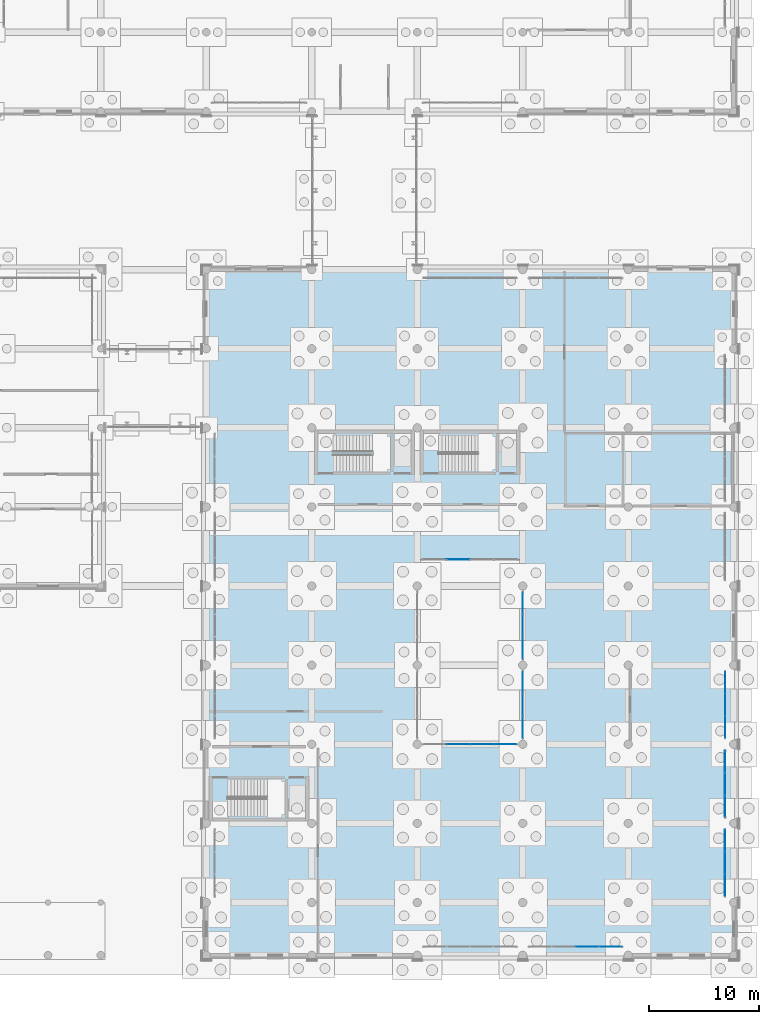
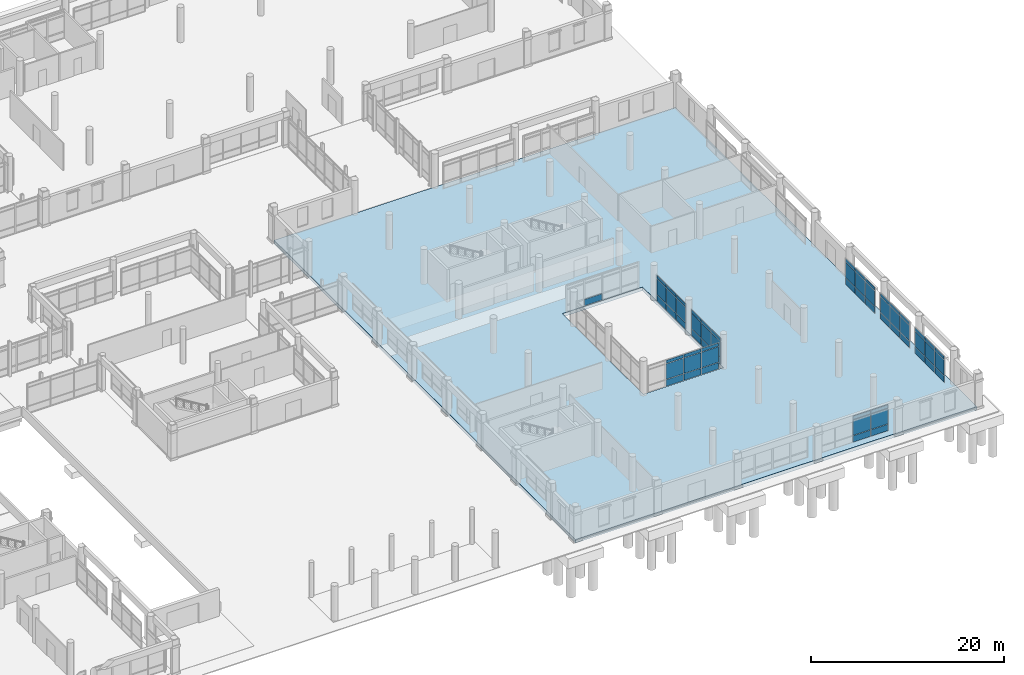
# One storey, part 155 of 196: 61 plates, 1 slab, 8 elements without a shape of their own.
"""IFC4 building model written with IfcOpenShell, lengths in metres."""

from ifc_helpers import new_model, si_unit, direction, frame, origin, origin_2d, place, context, subcontext, project, spatial, polyline, rectangle, outline, extrude, material, layer, layer_set, type_object, element, aggregate, save


model = new_model("IFC4")

# Units and contexts
model_context = context("Model", 3, precision=1e-05, world=origin(), true_north=direction((0.0, 1.0)))
body_context = subcontext(model_context, "Body", "Model", "MODEL_VIEW")
ifc_project = project(units=[si_unit("LENGTHUNIT", "METRE"), si_unit("AREAUNIT", "SQUARE_METRE"), si_unit("VOLUMEUNIT", "CUBIC_METRE"), si_unit("PLANEANGLEUNIT", "RADIAN"), si_unit("MASSUNIT", "GRAM", prefix="KILO")], contexts=[model_context])

# Site, building, storey
site_placement = place(None, origin())
site = spatial("IfcSite", under=ifc_project, at=site_placement, CompositionType="ELEMENT")
building_placement = place(site_placement, origin())
building = spatial("IfcBuilding", under=site, at=building_placement, Name="Asteropetra Specialist Clinic", CompositionType="ELEMENT")
storey_placement = place(building_placement, origin())
storey = spatial("IfcBuildingStorey", under=building, at=storey_placement, Name="L00", CompositionType="ELEMENT", Elevation=0.0)

# Curtain wall, plates
ifc_material_1 = material(Name="Aluminium and low-E glass", Category="aluminium")
ifc_layer_1 = layer(ifc_material_1, 0.14990234375)
ifc_layer_set_1 = layer_set([ifc_layer_1], Name="Aluminium and low-E glass")
curtain_wall_type_1 = type_object("IfcCurtainWallType", Name="CW-SYS-11", PredefinedType="USERDEFINED", material=ifc_layer_set_1)
curtain_wall_1_placement = place(storey_placement, origin())
curtain_wall_1 = element("IfcCurtainWall", 1, at=curtain_wall_1_placement, inside=storey, type_object=curtain_wall_type_1, Name="Curtain Wall CW-068", ObjectType="STICK GLAZED COLONNADE", PredefinedType="USERDEFINED")
ifc_material_2 = material(Name="Low-E double glazing", Category="glass")
ifc_layer_2 = layer(ifc_material_2, 0.028076171875)
ifc_layer_set_2 = layer_set([ifc_layer_2], Name="Low-E double glazing")
plate_type_1 = type_object("IfcPlateType", Name="CWP-GLZ-28", PredefinedType="CURTAIN_PANEL", material=ifc_layer_set_2)
plate_1_placement = place(storey_placement, frame((134.39990234375, 20.771728515625, 0.06005859375), z_axis=(0.0, 0.0, 1.0), x_axis=(0.0, 1.0, 0.0)))
plate_1 = element("IfcPlate", 2, at=plate_1_placement, type_object=plate_type_1, Name="CW-068 panel 1.1", PredefinedType="CURTAIN_PANEL", context=body_context, shape_type="SweptSolid", body=[
    extrude(rectangle(XDim=1.953369140625, YDim=0.028076171875, at=origin_2d()), origin(), (0.0, 0.0, 1.0), 0.81005859375),
])
plate_2_placement = place(storey_placement, frame((134.39990234375, 20.771728515625, 0.929931640625), z_axis=(0.0, 0.0, 1.0), x_axis=(0.0, 1.0, 0.0)))
plate_2 = element("IfcPlate", 3, at=plate_2_placement, type_object=plate_type_1, Name="CW-068 panel 1.2", PredefinedType="CURTAIN_PANEL", context=body_context, shape_type="SweptSolid", body=[
    extrude(rectangle(XDim=1.953369140625, YDim=0.028076171875, at=origin_2d()), origin(), (0.0, 0.0, 1.0), 1.93994140625),
])
plate_3_placement = place(storey_placement, frame((134.39990234375, 20.771728515625, 2.93017578125), z_axis=(0.0, 0.0, 1.0), x_axis=(0.0, 1.0, 0.0)))
plate_3 = element("IfcPlate", 4, at=plate_3_placement, type_object=plate_type_1, Name="CW-068 panel 1.3", PredefinedType="CURTAIN_PANEL", context=body_context, shape_type="SweptSolid", body=[
    extrude(rectangle(XDim=1.953369140625, YDim=0.028076171875, at=origin_2d()), origin(), (0.0, 0.0, 1.0), 0.409912109375),
])
plate_4_placement = place(storey_placement, frame((134.39990234375, 22.800048828125, 0.06005859375), z_axis=(0.0, 0.0, 1.0), x_axis=(0.0, 1.0, 0.0)))
plate_4 = element("IfcPlate", 5, at=plate_4_placement, type_object=plate_type_1, Name="CW-068 panel 2.1", PredefinedType="CURTAIN_PANEL", context=body_context, shape_type="SweptSolid", body=[
    extrude(rectangle(XDim=1.9833984375, YDim=0.028076171875, at=origin_2d()), origin(), (0.0, 0.0, 1.0), 0.81005859375),
])
plate_5_placement = place(storey_placement, frame((134.39990234375, 22.800048828125, 0.929931640625), z_axis=(0.0, 0.0, 1.0), x_axis=(0.0, 1.0, 0.0)))
plate_5 = element("IfcPlate", 6, at=plate_5_placement, type_object=plate_type_1, Name="CW-068 panel 2.2", PredefinedType="CURTAIN_PANEL", context=body_context, shape_type="SweptSolid", body=[
    extrude(rectangle(XDim=1.9833984375, YDim=0.028076171875, at=origin_2d()), origin(), (0.0, 0.0, 1.0), 1.93994140625),
])
plate_6_placement = place(storey_placement, frame((134.39990234375, 22.800048828125, 2.93017578125), z_axis=(0.0, 0.0, 1.0), x_axis=(0.0, 1.0, 0.0)))
plate_6 = element("IfcPlate", 7, at=plate_6_placement, type_object=plate_type_1, Name="CW-068 panel 2.3", PredefinedType="CURTAIN_PANEL", context=body_context, shape_type="SweptSolid", body=[
    extrude(rectangle(XDim=1.9833984375, YDim=0.028076171875, at=origin_2d()), origin(), (0.0, 0.0, 1.0), 0.409912109375),
])
plate_7_placement = place(storey_placement, frame((134.39990234375, 24.828369140625, 0.06005859375), z_axis=(0.0, 0.0, 1.0), x_axis=(0.0, 1.0, 0.0)))
plate_7 = element("IfcPlate", 8, at=plate_7_placement, type_object=plate_type_1, Name="CW-068 panel 3.1", PredefinedType="CURTAIN_PANEL", context=body_context, shape_type="SweptSolid", body=[
    extrude(rectangle(XDim=1.953369140625, YDim=0.028076171875, at=origin_2d()), origin(), (0.0, 0.0, 1.0), 0.81005859375),
])
plate_8_placement = place(storey_placement, frame((134.39990234375, 24.828369140625, 0.929931640625), z_axis=(0.0, 0.0, 1.0), x_axis=(0.0, 1.0, 0.0)))
plate_8 = element("IfcPlate", 9, at=plate_8_placement, type_object=plate_type_1, Name="CW-068 panel 3.2", PredefinedType="CURTAIN_PANEL", context=body_context, shape_type="SweptSolid", body=[
    extrude(rectangle(XDim=1.953369140625, YDim=0.028076171875, at=origin_2d()), origin(), (0.0, 0.0, 1.0), 1.93994140625),
])
plate_9_placement = place(storey_placement, frame((134.39990234375, 24.828369140625, 2.93017578125), z_axis=(0.0, 0.0, 1.0), x_axis=(0.0, 1.0, 0.0)))
plate_9 = element("IfcPlate", 10, at=plate_9_placement, type_object=plate_type_1, Name="CW-068 panel 3.3", PredefinedType="CURTAIN_PANEL", context=body_context, shape_type="SweptSolid", body=[
    extrude(rectangle(XDim=1.953369140625, YDim=0.028076171875, at=origin_2d()), origin(), (0.0, 0.0, 1.0), 0.409912109375),
])
aggregate(curtain_wall_1, [plate_1, plate_2, plate_3, plate_4, plate_5, plate_6, plate_7, plate_8, plate_9])

ifc_material_3 = material(Name="Aluminium and low-E glass", Category="aluminium")
ifc_layer_3 = layer(ifc_material_3, 0.179931640625)
ifc_layer_set_3 = layer_set([ifc_layer_3], Name="Aluminium and low-E glass")
curtain_wall_type_2 = type_object("IfcCurtainWallType", Name="CW-SYS-01", PredefinedType="USERDEFINED", material=ifc_layer_set_3)
curtain_wall_2_placement = place(storey_placement, origin())
curtain_wall_2 = element("IfcCurtainWall", 11, at=curtain_wall_2_placement, inside=storey, type_object=curtain_wall_type_2, Name="Curtain Wall CW-200", ObjectType="UNITISED CURTAIN WALL", PredefinedType="USERDEFINED")
plate_10_placement = place(storey_placement, frame((152.820068359375, 20.771728515625, 0.06005859375), z_axis=(0.0, 0.0, 1.0), x_axis=(0.0, 1.0, 0.0)))
plate_10 = element("IfcPlate", 12, at=plate_10_placement, type_object=plate_type_1, Name="CW-200 panel 1.1", PredefinedType="CURTAIN_PANEL", context=body_context, shape_type="SweptSolid", body=[
    extrude(rectangle(XDim=1.953369140625, YDim=0.028076171875, at=origin_2d()), origin(), (0.0, 0.0, 1.0), 0.81005859375),
])
plate_11_placement = place(storey_placement, frame((152.820068359375, 20.771728515625, 0.929931640625), z_axis=(0.0, 0.0, 1.0), x_axis=(0.0, 1.0, 0.0)))
plate_11 = element("IfcPlate", 13, at=plate_11_placement, type_object=plate_type_1, Name="CW-200 panel 1.2", PredefinedType="CURTAIN_PANEL", context=body_context, shape_type="SweptSolid", body=[
    extrude(rectangle(XDim=1.953369140625, YDim=0.028076171875, at=origin_2d()), origin(), (0.0, 0.0, 1.0), 1.93994140625),
])
plate_12_placement = place(storey_placement, frame((152.820068359375, 20.771728515625, 2.93017578125), z_axis=(0.0, 0.0, 1.0), x_axis=(0.0, 1.0, 0.0)))
plate_12 = element("IfcPlate", 14, at=plate_12_placement, type_object=plate_type_1, Name="CW-200 panel 1.3", PredefinedType="CURTAIN_PANEL", context=body_context, shape_type="SweptSolid", body=[
    extrude(rectangle(XDim=1.953369140625, YDim=0.028076171875, at=origin_2d()), origin(), (0.0, 0.0, 1.0), 0.409912109375),
])
plate_13_placement = place(storey_placement, frame((152.820068359375, 22.800048828125, 0.06005859375), z_axis=(0.0, 0.0, 1.0), x_axis=(0.0, 1.0, 0.0)))
plate_13 = element("IfcPlate", 15, at=plate_13_placement, type_object=plate_type_1, Name="CW-200 panel 2.1", PredefinedType="CURTAIN_PANEL", context=body_context, shape_type="SweptSolid", body=[
    extrude(rectangle(XDim=1.9833984375, YDim=0.028076171875, at=origin_2d()), origin(), (0.0, 0.0, 1.0), 0.81005859375),
])
plate_14_placement = place(storey_placement, frame((152.820068359375, 22.800048828125, 0.929931640625), z_axis=(0.0, 0.0, 1.0), x_axis=(0.0, 1.0, 0.0)))
plate_14 = element("IfcPlate", 16, at=plate_14_placement, type_object=plate_type_1, Name="CW-200 panel 2.2", PredefinedType="CURTAIN_PANEL", context=body_context, shape_type="SweptSolid", body=[
    extrude(rectangle(XDim=1.9833984375, YDim=0.028076171875, at=origin_2d()), origin(), (0.0, 0.0, 1.0), 1.93994140625),
])
plate_15_placement = place(storey_placement, frame((152.820068359375, 22.800048828125, 2.93017578125), z_axis=(0.0, 0.0, 1.0), x_axis=(0.0, 1.0, 0.0)))
plate_15 = element("IfcPlate", 17, at=plate_15_placement, type_object=plate_type_1, Name="CW-200 panel 2.3", PredefinedType="CURTAIN_PANEL", context=body_context, shape_type="SweptSolid", body=[
    extrude(rectangle(XDim=1.9833984375, YDim=0.028076171875, at=origin_2d()), origin(), (0.0, 0.0, 1.0), 0.409912109375),
])
plate_16_placement = place(storey_placement, frame((152.820068359375, 24.828369140625, 0.06005859375), z_axis=(0.0, 0.0, 1.0), x_axis=(0.0, 1.0, 0.0)))
plate_16 = element("IfcPlate", 18, at=plate_16_placement, type_object=plate_type_1, Name="CW-200 panel 3.1", PredefinedType="CURTAIN_PANEL", context=body_context, shape_type="SweptSolid", body=[
    extrude(rectangle(XDim=1.953369140625, YDim=0.028076171875, at=origin_2d()), origin(), (0.0, 0.0, 1.0), 0.81005859375),
])
plate_17_placement = place(storey_placement, frame((152.820068359375, 24.828369140625, 0.929931640625), z_axis=(0.0, 0.0, 1.0), x_axis=(0.0, 1.0, 0.0)))
plate_17 = element("IfcPlate", 19, at=plate_17_placement, type_object=plate_type_1, Name="CW-200 panel 3.2", PredefinedType="CURTAIN_PANEL", context=body_context, shape_type="SweptSolid", body=[
    extrude(rectangle(XDim=1.953369140625, YDim=0.028076171875, at=origin_2d()), origin(), (0.0, 0.0, 1.0), 1.93994140625),
])
plate_18_placement = place(storey_placement, frame((152.820068359375, 24.828369140625, 2.93017578125), z_axis=(0.0, 0.0, 1.0), x_axis=(0.0, 1.0, 0.0)))
plate_18 = element("IfcPlate", 20, at=plate_18_placement, type_object=plate_type_1, Name="CW-200 panel 3.3", PredefinedType="CURTAIN_PANEL", context=body_context, shape_type="SweptSolid", body=[
    extrude(rectangle(XDim=1.953369140625, YDim=0.028076171875, at=origin_2d()), origin(), (0.0, 0.0, 1.0), 0.409912109375),
])
aggregate(curtain_wall_2, [plate_10, plate_11, plate_12, plate_13, plate_14, plate_15, plate_16, plate_17, plate_18])

ifc_material_4 = material(Name="Aluminium and low-E glass", Category="aluminium")
ifc_layer_4 = layer(ifc_material_4, 0.14990234375)
ifc_layer_set_4 = layer_set([ifc_layer_4], Name="Aluminium and low-E glass")
curtain_wall_type_3 = type_object("IfcCurtainWallType", Name="CW-SYS-08", PredefinedType="USERDEFINED", material=ifc_layer_set_4)
curtain_wall_3_placement = place(storey_placement, origin())
curtain_wall_3 = element("IfcCurtainWall", 21, at=curtain_wall_3_placement, inside=storey, type_object=curtain_wall_type_3, Name="Curtain Wall CW-065", ObjectType="STICK GLAZED COLONNADE", PredefinedType="USERDEFINED")
ifc_material_5 = material(Name="Low-E acoustic double glazing", Category="glass")
ifc_layer_5 = layer(ifc_material_5, 0.031982421875)
ifc_layer_set_5 = layer_set([ifc_layer_5], Name="Low-E acoustic double glazing")
plate_type_2 = type_object("IfcPlateType", Name="CWP-GLZ-32", PredefinedType="CURTAIN_PANEL", material=ifc_layer_set_5)
plate_19_placement = place(storey_placement, frame((128.53369140625, 19.199951171875, 0.06005859375), z_axis=(0.0, 0.0, 1.0), x_axis=(1.0, 0.0, 0.0)))
plate_19 = element("IfcPlate", 22, at=plate_19_placement, type_object=plate_type_2, Name="CW-065 panel 2.1", PredefinedType="CURTAIN_PANEL", context=body_context, shape_type="SweptSolid", body=[
    extrude(rectangle(XDim=2.072509765625, YDim=0.031982421875, at=origin_2d()), origin(), (0.0, 0.0, 1.0), 0.81005859375),
])
plate_20_placement = place(storey_placement, frame((128.53369140625, 19.199951171875, 0.929931640625), z_axis=(0.0, 0.0, 1.0), x_axis=(1.0, 0.0, 0.0)))
plate_20 = element("IfcPlate", 23, at=plate_20_placement, type_object=plate_type_2, Name="CW-065 panel 2.2", PredefinedType="CURTAIN_PANEL", context=body_context, shape_type="SweptSolid", body=[
    extrude(rectangle(XDim=2.072509765625, YDim=0.031982421875, at=origin_2d()), origin(), (0.0, 0.0, 1.0), 1.93994140625),
])
plate_21_placement = place(storey_placement, frame((128.53369140625, 19.199951171875, 2.93017578125), z_axis=(0.0, 0.0, 1.0), x_axis=(1.0, 0.0, 0.0)))
plate_21 = element("IfcPlate", 24, at=plate_21_placement, type_object=plate_type_2, Name="CW-065 panel 2.3", PredefinedType="CURTAIN_PANEL", context=body_context, shape_type="SweptSolid", body=[
    extrude(rectangle(XDim=2.072509765625, YDim=0.031982421875, at=origin_2d()), origin(), (0.0, 0.0, 1.0), 0.409912109375),
])
plate_22_placement = place(storey_placement, frame((130.666259765625, 19.199951171875, 0.06005859375), z_axis=(0.0, 0.0, 1.0), x_axis=(1.0, 0.0, 0.0)))
plate_22 = element("IfcPlate", 25, at=plate_22_placement, type_object=plate_type_2, Name="CW-065 panel 3.1", PredefinedType="CURTAIN_PANEL", context=body_context, shape_type="SweptSolid", body=[
    extrude(rectangle(XDim=2.072509765625, YDim=0.031982421875, at=origin_2d()), origin(), (0.0, 0.0, 1.0), 0.81005859375),
])
plate_23_placement = place(storey_placement, frame((130.666259765625, 19.199951171875, 0.929931640625), z_axis=(0.0, 0.0, 1.0), x_axis=(1.0, 0.0, 0.0)))
plate_23 = element("IfcPlate", 26, at=plate_23_placement, type_object=plate_type_2, Name="CW-065 panel 3.2", PredefinedType="CURTAIN_PANEL", context=body_context, shape_type="SweptSolid", body=[
    extrude(rectangle(XDim=2.072509765625, YDim=0.031982421875, at=origin_2d()), origin(), (0.0, 0.0, 1.0), 1.93994140625),
])
plate_24_placement = place(storey_placement, frame((130.666259765625, 19.199951171875, 2.93017578125), z_axis=(0.0, 0.0, 1.0), x_axis=(1.0, 0.0, 0.0)))
plate_24 = element("IfcPlate", 27, at=plate_24_placement, type_object=plate_type_2, Name="CW-065 panel 3.3", PredefinedType="CURTAIN_PANEL", context=body_context, shape_type="SweptSolid", body=[
    extrude(rectangle(XDim=2.072509765625, YDim=0.031982421875, at=origin_2d()), origin(), (0.0, 0.0, 1.0), 0.409912109375),
])
plate_25_placement = place(storey_placement, frame((132.78369140625, 19.199951171875, 0.06005859375), z_axis=(0.0, 0.0, 1.0), x_axis=(1.0, 0.0, 0.0)))
plate_25 = element("IfcPlate", 28, at=plate_25_placement, type_object=plate_type_2, Name="CW-065 panel 4.1", PredefinedType="CURTAIN_PANEL", context=body_context, shape_type="SweptSolid", body=[
    extrude(rectangle(XDim=2.04248046875, YDim=0.031982421875, at=origin_2d()), origin(), (0.0, 0.0, 1.0), 0.81005859375),
])
plate_26_placement = place(storey_placement, frame((132.78369140625, 19.199951171875, 0.929931640625), z_axis=(0.0, 0.0, 1.0), x_axis=(1.0, 0.0, 0.0)))
plate_26 = element("IfcPlate", 29, at=plate_26_placement, type_object=plate_type_2, Name="CW-065 panel 4.2", PredefinedType="CURTAIN_PANEL", context=body_context, shape_type="SweptSolid", body=[
    extrude(rectangle(XDim=2.04248046875, YDim=0.031982421875, at=origin_2d()), origin(), (0.0, 0.0, 1.0), 1.93994140625),
])
plate_27_placement = place(storey_placement, frame((132.78369140625, 19.199951171875, 2.93017578125), z_axis=(0.0, 0.0, 1.0), x_axis=(1.0, 0.0, 0.0)))
plate_27 = element("IfcPlate", 30, at=plate_27_placement, type_object=plate_type_2, Name="CW-065 panel 4.3", PredefinedType="CURTAIN_PANEL", context=body_context, shape_type="SweptSolid", body=[
    extrude(rectangle(XDim=2.04248046875, YDim=0.031982421875, at=origin_2d()), origin(), (0.0, 0.0, 1.0), 0.409912109375),
])
aggregate(curtain_wall_3, [plate_19, plate_20, plate_21, plate_22, plate_23, plate_24, plate_25, plate_26, plate_27])

ifc_material_6 = material(Name="Aluminium and low-E glass", Category="aluminium")
ifc_layer_6 = layer(ifc_material_6, 0.179931640625)
ifc_layer_set_6 = layer_set([ifc_layer_6], Name="Aluminium and low-E glass")
curtain_wall_type_4 = type_object("IfcCurtainWallType", Name="CW-SYS-10", PredefinedType="USERDEFINED", material=ifc_layer_set_6)
curtain_wall_4_placement = place(storey_placement, origin())
curtain_wall_4 = element("IfcCurtainWall", 31, at=curtain_wall_4_placement, inside=storey, type_object=curtain_wall_type_4, Name="Curtain Wall CW-197", ObjectType="STICK GLAZED COLONNADE", PredefinedType="USERDEFINED")
plate_28_placement = place(storey_placement, frame((152.820068359375, 6.37158203125, 0.06005859375), z_axis=(0.0, 0.0, 1.0), x_axis=(0.0, 1.0, 0.0)))
plate_28 = element("IfcPlate", 32, at=plate_28_placement, type_object=plate_type_2, Name="CW-197 panel 1.1", PredefinedType="CURTAIN_PANEL", context=body_context, shape_type="SweptSolid", body=[
    extrude(rectangle(XDim=1.953369140625, YDim=0.031982421875, at=origin_2d()), origin(), (0.0, 0.0, 1.0), 0.81005859375),
])
plate_29_placement = place(storey_placement, frame((152.820068359375, 6.37158203125, 0.929931640625), z_axis=(0.0, 0.0, 1.0), x_axis=(0.0, 1.0, 0.0)))
plate_29 = element("IfcPlate", 33, at=plate_29_placement, type_object=plate_type_2, Name="CW-197 panel 1.2", PredefinedType="CURTAIN_PANEL", context=body_context, shape_type="SweptSolid", body=[
    extrude(rectangle(XDim=1.953369140625, YDim=0.031982421875, at=origin_2d()), origin(), (0.0, 0.0, 1.0), 1.93994140625),
])
plate_30_placement = place(storey_placement, frame((152.820068359375, 6.37158203125, 2.93017578125), z_axis=(0.0, 0.0, 1.0), x_axis=(0.0, 1.0, 0.0)))
plate_30 = element("IfcPlate", 34, at=plate_30_placement, type_object=plate_type_2, Name="CW-197 panel 1.3", PredefinedType="CURTAIN_PANEL", context=body_context, shape_type="SweptSolid", body=[
    extrude(rectangle(XDim=1.953369140625, YDim=0.031982421875, at=origin_2d()), origin(), (0.0, 0.0, 1.0), 0.409912109375),
])
plate_31_placement = place(storey_placement, frame((152.820068359375, 8.39990234375, 0.06005859375), z_axis=(0.0, 0.0, 1.0), x_axis=(0.0, 1.0, 0.0)))
plate_31 = element("IfcPlate", 35, at=plate_31_placement, type_object=plate_type_2, Name="CW-197 panel 2.1", PredefinedType="CURTAIN_PANEL", context=body_context, shape_type="SweptSolid", body=[
    extrude(rectangle(XDim=1.9833984375, YDim=0.031982421875, at=origin_2d()), origin(), (0.0, 0.0, 1.0), 0.81005859375),
])
plate_32_placement = place(storey_placement, frame((152.820068359375, 8.39990234375, 0.929931640625), z_axis=(0.0, 0.0, 1.0), x_axis=(0.0, 1.0, 0.0)))
plate_32 = element("IfcPlate", 36, at=plate_32_placement, type_object=plate_type_2, Name="CW-197 panel 2.2", PredefinedType="CURTAIN_PANEL", context=body_context, shape_type="SweptSolid", body=[
    extrude(rectangle(XDim=1.9833984375, YDim=0.031982421875, at=origin_2d()), origin(), (0.0, 0.0, 1.0), 1.93994140625),
])
plate_33_placement = place(storey_placement, frame((152.820068359375, 8.39990234375, 2.93017578125), z_axis=(0.0, 0.0, 1.0), x_axis=(0.0, 1.0, 0.0)))
plate_33 = element("IfcPlate", 37, at=plate_33_placement, type_object=plate_type_2, Name="CW-197 panel 2.3", PredefinedType="CURTAIN_PANEL", context=body_context, shape_type="SweptSolid", body=[
    extrude(rectangle(XDim=1.9833984375, YDim=0.031982421875, at=origin_2d()), origin(), (0.0, 0.0, 1.0), 0.409912109375),
])
plate_34_placement = place(storey_placement, frame((152.820068359375, 10.42822265625, 0.06005859375), z_axis=(0.0, 0.0, 1.0), x_axis=(0.0, 1.0, 0.0)))
plate_34 = element("IfcPlate", 38, at=plate_34_placement, type_object=plate_type_2, Name="CW-197 panel 3.1", PredefinedType="CURTAIN_PANEL", context=body_context, shape_type="SweptSolid", body=[
    extrude(rectangle(XDim=1.953369140625, YDim=0.031982421875, at=origin_2d()), origin(), (0.0, 0.0, 1.0), 0.81005859375),
])
plate_35_placement = place(storey_placement, frame((152.820068359375, 10.42822265625, 0.929931640625), z_axis=(0.0, 0.0, 1.0), x_axis=(0.0, 1.0, 0.0)))
plate_35 = element("IfcPlate", 39, at=plate_35_placement, type_object=plate_type_2, Name="CW-197 panel 3.2", PredefinedType="CURTAIN_PANEL", context=body_context, shape_type="SweptSolid", body=[
    extrude(rectangle(XDim=1.953369140625, YDim=0.031982421875, at=origin_2d()), origin(), (0.0, 0.0, 1.0), 1.93994140625),
])
plate_36_placement = place(storey_placement, frame((152.820068359375, 10.42822265625, 2.93017578125), z_axis=(0.0, 0.0, 1.0), x_axis=(0.0, 1.0, 0.0)))
plate_36 = element("IfcPlate", 40, at=plate_36_placement, type_object=plate_type_2, Name="CW-197 panel 3.3", PredefinedType="CURTAIN_PANEL", context=body_context, shape_type="SweptSolid", body=[
    extrude(rectangle(XDim=1.953369140625, YDim=0.031982421875, at=origin_2d()), origin(), (0.0, 0.0, 1.0), 0.409912109375),
])
aggregate(curtain_wall_4, [plate_28, plate_29, plate_30, plate_31, plate_32, plate_33, plate_34, plate_35, plate_36])

# Curtain wall, plate
ifc_material_7 = material(Name="Aluminium and low-E glass", Category="aluminium")
ifc_layer_7 = layer(ifc_material_7, 0.135009765625)
ifc_layer_set_7 = layer_set([ifc_layer_7], Name="Aluminium and low-E glass")
curtain_wall_type_5 = type_object("IfcCurtainWallType", Name="CW-SYS-09", PredefinedType="USERDEFINED", material=ifc_layer_set_7)
curtain_wall_5_placement = place(storey_placement, origin())
curtain_wall_5 = element("IfcCurtainWall", 41, at=curtain_wall_5_placement, inside=storey, type_object=curtain_wall_type_5, Name="Curtain Wall CW-066", ObjectType="STICK GLAZED COLONNADE", PredefinedType="USERDEFINED")
ifc_material_8 = material(Name="Solar-control triple glazing", Category="glass")
ifc_layer_8 = layer(ifc_material_8, 0.035888671875)
ifc_layer_set_8 = layer_set([ifc_layer_8], Name="Solar-control triple glazing")
plate_type_3 = type_object("IfcPlateType", Name="CWP-GLZ-36", PredefinedType="CURTAIN_PANEL", material=ifc_layer_set_8)
plate_37_placement = place(storey_placement, frame((128.510009765625, 36.0, 0.074951171875), z_axis=(0.0, 0.0, 1.0), x_axis=(-1.0, 0.0, 0.0)))
plate_37 = element("IfcPlate", 42, at=plate_37_placement, type_object=plate_type_3, Name="CW-066 panel 3.1", PredefinedType="CURTAIN_PANEL", context=body_context, shape_type="SweptSolid", body=[
    extrude(rectangle(XDim=2.10498046875, YDim=0.035888671875, at=origin_2d()), origin(), (0.0, 0.0, 1.0), 0.78759765625),
])
aggregate(curtain_wall_5, [plate_37])

# Curtain wall, plates
ifc_material_9 = material(Name="Aluminium and low-E glass", Category="aluminium")
ifc_layer_9 = layer(ifc_material_9, 0.135009765625)
ifc_layer_set_9 = layer_set([ifc_layer_9], Name="Aluminium and low-E glass")
curtain_wall_type_6 = type_object("IfcCurtainWallType", Name="CW-SYS-12", PredefinedType="USERDEFINED", material=ifc_layer_set_9)
curtain_wall_6_placement = place(storey_placement, origin())
curtain_wall_6 = element("IfcCurtainWall", 43, at=curtain_wall_6_placement, inside=storey, type_object=curtain_wall_type_6, Name="Curtain Wall CW-070", ObjectType="STICK GLAZED COLONNADE", PredefinedType="USERDEFINED")
plate_38_placement = place(storey_placement, frame((134.39990234375, 27.972900390625, 0.06494140625), z_axis=(0.0, 0.0, 1.0), x_axis=(0.0, 1.0, 0.0)))
plate_38 = element("IfcPlate", 44, at=plate_38_placement, type_object=plate_type_3, Name="CW-070 panel 1.1", PredefinedType="CURTAIN_PANEL", context=body_context, shape_type="SweptSolid", body=[
    extrude(rectangle(XDim=1.94580078125, YDim=0.035888671875, at=origin_2d()), origin(), (0.0, 0.0, 1.0), 0.802490234375),
])
plate_39_placement = place(storey_placement, frame((134.39990234375, 27.972900390625, 0.932373046875), z_axis=(0.0, 0.0, 1.0), x_axis=(0.0, 1.0, 0.0)))
plate_39 = element("IfcPlate", 45, at=plate_39_placement, type_object=plate_type_3, Name="CW-070 panel 1.2", PredefinedType="CURTAIN_PANEL", context=body_context, shape_type="SweptSolid", body=[
    extrude(rectangle(XDim=1.94580078125, YDim=0.035888671875, at=origin_2d()), origin(), (0.0, 0.0, 1.0), 1.93505859375),
])
plate_40_placement = place(storey_placement, frame((134.39990234375, 27.972900390625, 2.9326171875), z_axis=(0.0, 0.0, 1.0), x_axis=(0.0, 1.0, 0.0)))
plate_40 = element("IfcPlate", 46, at=plate_40_placement, type_object=plate_type_3, Name="CW-070 panel 1.3", PredefinedType="CURTAIN_PANEL", context=body_context, shape_type="SweptSolid", body=[
    extrude(rectangle(XDim=1.94580078125, YDim=0.035888671875, at=origin_2d()), origin(), (0.0, 0.0, 1.0), 0.402587890625),
])
plate_41_placement = place(storey_placement, frame((134.39990234375, 30.0, 0.06494140625), z_axis=(0.0, 0.0, 1.0), x_axis=(0.0, 1.0, 0.0)))
plate_41 = element("IfcPlate", 47, at=plate_41_placement, type_object=plate_type_3, Name="CW-070 panel 2.1", PredefinedType="CURTAIN_PANEL", context=body_context, shape_type="SweptSolid", body=[
    extrude(rectangle(XDim=1.978271484375, YDim=0.035888671875, at=origin_2d()), origin(), (0.0, 0.0, 1.0), 0.802490234375),
])
plate_42_placement = place(storey_placement, frame((134.39990234375, 30.0, 0.932373046875), z_axis=(0.0, 0.0, 1.0), x_axis=(0.0, 1.0, 0.0)))
plate_42 = element("IfcPlate", 48, at=plate_42_placement, type_object=plate_type_3, Name="CW-070 panel 2.2", PredefinedType="CURTAIN_PANEL", context=body_context, shape_type="SweptSolid", body=[
    extrude(rectangle(XDim=1.978271484375, YDim=0.035888671875, at=origin_2d()), origin(), (0.0, 0.0, 1.0), 1.93505859375),
])
plate_43_placement = place(storey_placement, frame((134.39990234375, 30.0, 2.9326171875), z_axis=(0.0, 0.0, 1.0), x_axis=(0.0, 1.0, 0.0)))
plate_43 = element("IfcPlate", 49, at=plate_43_placement, type_object=plate_type_3, Name="CW-070 panel 2.3", PredefinedType="CURTAIN_PANEL", context=body_context, shape_type="SweptSolid", body=[
    extrude(rectangle(XDim=1.978271484375, YDim=0.035888671875, at=origin_2d()), origin(), (0.0, 0.0, 1.0), 0.402587890625),
])
plate_44_placement = place(storey_placement, frame((134.39990234375, 32.027099609375, 0.06494140625), z_axis=(0.0, 0.0, 1.0), x_axis=(0.0, 1.0, 0.0)))
plate_44 = element("IfcPlate", 50, at=plate_44_placement, type_object=plate_type_3, Name="CW-070 panel 3.1", PredefinedType="CURTAIN_PANEL", context=body_context, shape_type="SweptSolid", body=[
    extrude(rectangle(XDim=1.94580078125, YDim=0.035888671875, at=origin_2d()), origin(), (0.0, 0.0, 1.0), 0.802490234375),
])
plate_45_placement = place(storey_placement, frame((134.39990234375, 32.027099609375, 0.932373046875), z_axis=(0.0, 0.0, 1.0), x_axis=(0.0, 1.0, 0.0)))
plate_45 = element("IfcPlate", 51, at=plate_45_placement, type_object=plate_type_3, Name="CW-070 panel 3.2", PredefinedType="CURTAIN_PANEL", context=body_context, shape_type="SweptSolid", body=[
    extrude(rectangle(XDim=1.94580078125, YDim=0.035888671875, at=origin_2d()), origin(), (0.0, 0.0, 1.0), 1.93505859375),
])
plate_46_placement = place(storey_placement, frame((134.39990234375, 32.027099609375, 2.9326171875), z_axis=(0.0, 0.0, 1.0), x_axis=(0.0, 1.0, 0.0)))
plate_46 = element("IfcPlate", 52, at=plate_46_placement, type_object=plate_type_3, Name="CW-070 panel 3.3", PredefinedType="CURTAIN_PANEL", context=body_context, shape_type="SweptSolid", body=[
    extrude(rectangle(XDim=1.94580078125, YDim=0.035888671875, at=origin_2d()), origin(), (0.0, 0.0, 1.0), 0.402587890625),
])
aggregate(curtain_wall_6, [plate_38, plate_39, plate_40, plate_41, plate_42, plate_43, plate_44, plate_45, plate_46])

curtain_wall_7_placement = place(storey_placement, origin())
curtain_wall_7 = element("IfcCurtainWall", 53, at=curtain_wall_7_placement, inside=storey, type_object=curtain_wall_type_1, Name="Curtain Wall CW-194", ObjectType="STICK GLAZED COLONNADE", PredefinedType="USERDEFINED")
plate_47_placement = place(storey_placement, frame((140.266357421875, 0.780029296875, 0.06005859375), z_axis=(0.0, 0.0, 1.0), x_axis=(1.0, 0.0, 0.0)))
plate_47 = element("IfcPlate", 54, at=plate_47_placement, type_object=plate_type_3, Name="CW-194 panel 3.1", PredefinedType="CURTAIN_PANEL", context=body_context, shape_type="SweptSolid", body=[
    extrude(rectangle(XDim=2.072509765625, YDim=0.035888671875, at=origin_2d()), origin(), (0.0, 0.0, 1.0), 0.81005859375),
])
plate_48_placement = place(storey_placement, frame((140.266357421875, 0.780029296875, 0.929931640625), z_axis=(0.0, 0.0, 1.0), x_axis=(1.0, 0.0, 0.0)))
plate_48 = element("IfcPlate", 55, at=plate_48_placement, type_object=plate_type_3, Name="CW-194 panel 3.2", PredefinedType="CURTAIN_PANEL", context=body_context, shape_type="SweptSolid", body=[
    extrude(rectangle(XDim=2.072509765625, YDim=0.035888671875, at=origin_2d()), origin(), (0.0, 0.0, 1.0), 1.93994140625),
])
plate_49_placement = place(storey_placement, frame((140.266357421875, 0.780029296875, 2.93017578125), z_axis=(0.0, 0.0, 1.0), x_axis=(1.0, 0.0, 0.0)))
plate_49 = element("IfcPlate", 56, at=plate_49_placement, type_object=plate_type_3, Name="CW-194 panel 3.3", PredefinedType="CURTAIN_PANEL", context=body_context, shape_type="SweptSolid", body=[
    extrude(rectangle(XDim=2.072509765625, YDim=0.035888671875, at=origin_2d()), origin(), (0.0, 0.0, 1.0), 0.409912109375),
])
plate_50_placement = place(storey_placement, frame((142.3837890625, 0.780029296875, 0.06005859375), z_axis=(0.0, 0.0, 1.0), x_axis=(1.0, 0.0, 0.0)))
plate_50 = element("IfcPlate", 57, at=plate_50_placement, type_object=plate_type_3, Name="CW-194 panel 4.1", PredefinedType="CURTAIN_PANEL", context=body_context, shape_type="SweptSolid", body=[
    extrude(rectangle(XDim=2.04248046875, YDim=0.035888671875, at=origin_2d()), origin(), (0.0, 0.0, 1.0), 0.81005859375),
])
plate_51_placement = place(storey_placement, frame((142.3837890625, 0.780029296875, 0.929931640625), z_axis=(0.0, 0.0, 1.0), x_axis=(1.0, 0.0, 0.0)))
plate_51 = element("IfcPlate", 58, at=plate_51_placement, type_object=plate_type_3, Name="CW-194 panel 4.2", PredefinedType="CURTAIN_PANEL", context=body_context, shape_type="SweptSolid", body=[
    extrude(rectangle(XDim=2.04248046875, YDim=0.035888671875, at=origin_2d()), origin(), (0.0, 0.0, 1.0), 1.93994140625),
])
plate_52_placement = place(storey_placement, frame((142.3837890625, 0.780029296875, 2.93017578125), z_axis=(0.0, 0.0, 1.0), x_axis=(1.0, 0.0, 0.0)))
plate_52 = element("IfcPlate", 59, at=plate_52_placement, type_object=plate_type_3, Name="CW-194 panel 4.3", PredefinedType="CURTAIN_PANEL", context=body_context, shape_type="SweptSolid", body=[
    extrude(rectangle(XDim=2.04248046875, YDim=0.035888671875, at=origin_2d()), origin(), (0.0, 0.0, 1.0), 0.409912109375),
])
aggregate(curtain_wall_7, [plate_47, plate_48, plate_49, plate_50, plate_51, plate_52])

curtain_wall_8_placement = place(storey_placement, origin())
curtain_wall_8 = element("IfcCurtainWall", 60, at=curtain_wall_8_placement, inside=storey, type_object=curtain_wall_type_4, Name="Curtain Wall CW-198", ObjectType="STICK GLAZED COLONNADE", PredefinedType="USERDEFINED")
plate_53_placement = place(storey_placement, frame((152.820068359375, 13.575439453125, 0.074951171875), z_axis=(0.0, 0.0, 1.0), x_axis=(0.0, 1.0, 0.0)))
plate_53 = element("IfcPlate", 61, at=plate_53_placement, type_object=plate_type_3, Name="CW-198 panel 1.1", PredefinedType="CURTAIN_PANEL", context=body_context, shape_type="SweptSolid", body=[
    extrude(rectangle(XDim=1.930908203125, YDim=0.035888671875, at=origin_2d()), origin(), (0.0, 0.0, 1.0), 0.78759765625),
])
plate_54_placement = place(storey_placement, frame((152.820068359375, 13.575439453125, 0.9375), z_axis=(0.0, 0.0, 1.0), x_axis=(0.0, 1.0, 0.0)))
plate_54 = element("IfcPlate", 62, at=plate_54_placement, type_object=plate_type_3, Name="CW-198 panel 1.2", PredefinedType="CURTAIN_PANEL", context=body_context, shape_type="SweptSolid", body=[
    extrude(rectangle(XDim=1.930908203125, YDim=0.035888671875, at=origin_2d()), origin(), (0.0, 0.0, 1.0), 1.925048828125),
])
plate_55_placement = place(storey_placement, frame((152.820068359375, 13.575439453125, 2.9375), z_axis=(0.0, 0.0, 1.0), x_axis=(0.0, 1.0, 0.0)))
plate_55 = element("IfcPlate", 63, at=plate_55_placement, type_object=plate_type_3, Name="CW-198 panel 1.3", PredefinedType="CURTAIN_PANEL", context=body_context, shape_type="SweptSolid", body=[
    extrude(rectangle(XDim=1.930908203125, YDim=0.035888671875, at=origin_2d()), origin(), (0.0, 0.0, 1.0), 0.387451171875),
])
plate_56_placement = place(storey_placement, frame((152.820068359375, 15.60009765625, 0.074951171875), z_axis=(0.0, 0.0, 1.0), x_axis=(0.0, 1.0, 0.0)))
plate_56 = element("IfcPlate", 64, at=plate_56_placement, type_object=plate_type_3, Name="CW-198 panel 2.1", PredefinedType="CURTAIN_PANEL", context=body_context, shape_type="SweptSolid", body=[
    extrude(rectangle(XDim=1.96826171875, YDim=0.035888671875, at=origin_2d()), origin(), (0.0, 0.0, 1.0), 0.78759765625),
])
plate_57_placement = place(storey_placement, frame((152.820068359375, 15.60009765625, 0.9375), z_axis=(0.0, 0.0, 1.0), x_axis=(0.0, 1.0, 0.0)))
plate_57 = element("IfcPlate", 65, at=plate_57_placement, type_object=plate_type_3, Name="CW-198 panel 2.2", PredefinedType="CURTAIN_PANEL", context=body_context, shape_type="SweptSolid", body=[
    extrude(rectangle(XDim=1.96826171875, YDim=0.035888671875, at=origin_2d()), origin(), (0.0, 0.0, 1.0), 1.925048828125),
])
plate_58_placement = place(storey_placement, frame((152.820068359375, 15.60009765625, 2.9375), z_axis=(0.0, 0.0, 1.0), x_axis=(0.0, 1.0, 0.0)))
plate_58 = element("IfcPlate", 66, at=plate_58_placement, type_object=plate_type_3, Name="CW-198 panel 2.3", PredefinedType="CURTAIN_PANEL", context=body_context, shape_type="SweptSolid", body=[
    extrude(rectangle(XDim=1.96826171875, YDim=0.035888671875, at=origin_2d()), origin(), (0.0, 0.0, 1.0), 0.387451171875),
])
plate_59_placement = place(storey_placement, frame((152.820068359375, 17.62451171875, 0.074951171875), z_axis=(0.0, 0.0, 1.0), x_axis=(0.0, 1.0, 0.0)))
plate_59 = element("IfcPlate", 67, at=plate_59_placement, type_object=plate_type_3, Name="CW-198 panel 3.1", PredefinedType="CURTAIN_PANEL", context=body_context, shape_type="SweptSolid", body=[
    extrude(rectangle(XDim=1.930908203125, YDim=0.035888671875, at=origin_2d()), origin(), (0.0, 0.0, 1.0), 0.78759765625),
])
plate_60_placement = place(storey_placement, frame((152.820068359375, 17.62451171875, 0.9375), z_axis=(0.0, 0.0, 1.0), x_axis=(0.0, 1.0, 0.0)))
plate_60 = element("IfcPlate", 68, at=plate_60_placement, type_object=plate_type_3, Name="CW-198 panel 3.2", PredefinedType="CURTAIN_PANEL", context=body_context, shape_type="SweptSolid", body=[
    extrude(rectangle(XDim=1.930908203125, YDim=0.035888671875, at=origin_2d()), origin(), (0.0, 0.0, 1.0), 1.925048828125),
])
plate_61_placement = place(storey_placement, frame((152.820068359375, 17.62451171875, 2.9375), z_axis=(0.0, 0.0, 1.0), x_axis=(0.0, 1.0, 0.0)))
plate_61 = element("IfcPlate", 69, at=plate_61_placement, type_object=plate_type_3, Name="CW-198 panel 3.3", PredefinedType="CURTAIN_PANEL", context=body_context, shape_type="SweptSolid", body=[
    extrude(rectangle(XDim=1.930908203125, YDim=0.035888671875, at=origin_2d()), origin(), (0.0, 0.0, 1.0), 0.387451171875),
])
aggregate(curtain_wall_8, [plate_53, plate_54, plate_55, plate_56, plate_57, plate_58, plate_59, plate_60, plate_61])

# Slab
ifc_material_10 = material(Name="Concrete C35/45", Category="concrete")
ifc_layer_10 = layer(ifc_material_10, 0.449951171875)
ifc_layer_set_10 = layer_set([ifc_layer_10], Name="Concrete C35/45")
slab_type = type_object("IfcSlabType", Name="SLB-BASE-450", PredefinedType="BASESLAB", material=ifc_layer_set_10)
slab_placement = place(storey_placement, frame((0.0, 0.0, -0.449951171875)))
element("IfcSlab", 70, at=slab_placement, inside=storey, type_object=slab_type, Name="Slab V6 L00", PredefinedType="BASESLAB", context=body_context, shape_type="SweptSolid", body=[
    extrude(outline(polyline([(105.60009765625, 0.0), (153.60009765625, 0.0), (153.60009765625, 62.39990234375), (105.60009765625, 62.39990234375), (105.60009765625, 0.0)]), holes=[polyline([(124.800048828125, 19.199951171875), (134.39990234375, 19.199951171875), (134.39990234375, 36.0), (124.800048828125, 36.0), (124.800048828125, 19.199951171875)])]), origin(), (0.0, 0.0, 1.0), 0.449951171875),
])

save(model, "model.ifc")
